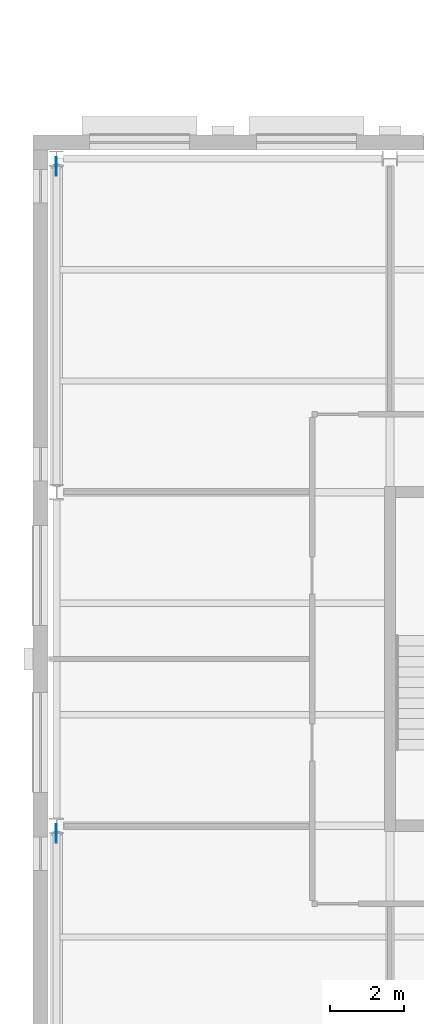
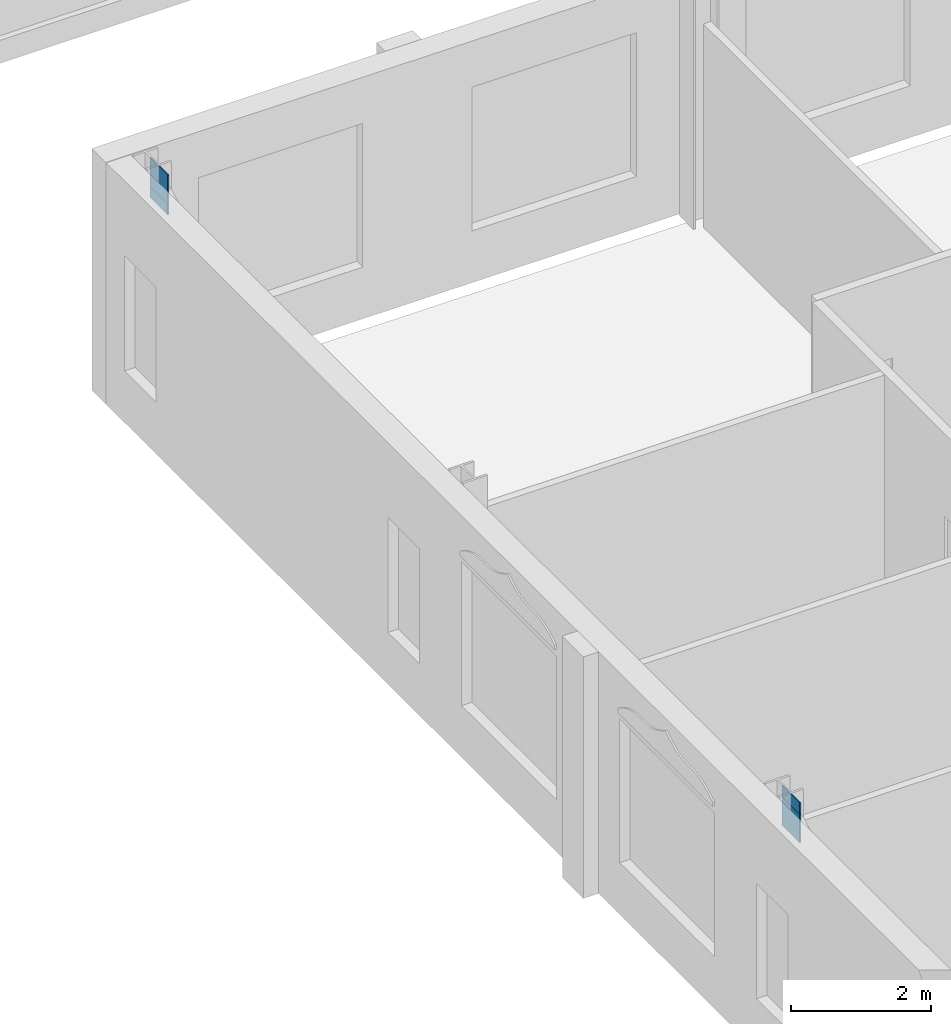
# One storey, part 39 of 62: 4 discrete accessories.
"""IFC4 building model written with IfcOpenShell, lengths in metres."""

from ifc_helpers import new_model, si_unit, direction, frame, origin, origin_2d, place, context, subcontext, project, spatial, rectangle, extrude, material, type_object, element, save


model = new_model("IFC4")

# Units and contexts
model_context = context("Model", 3, precision=1e-05, world=origin(), true_north=direction((0.0, 1.0)))
body_context = subcontext(model_context, "Body", "Model", "MODEL_VIEW")
ifc_project = project(units=[si_unit("LENGTHUNIT", "METRE"), si_unit("AREAUNIT", "SQUARE_METRE"), si_unit("VOLUMEUNIT", "CUBIC_METRE"), si_unit("PLANEANGLEUNIT", "RADIAN"), si_unit("MASSUNIT", "GRAM", prefix="KILO")], contexts=[model_context])

# Site, building, storey
site_placement = place(None, origin())
site = spatial("IfcSite", under=ifc_project, at=site_placement, CompositionType="ELEMENT")
building_placement = place(site_placement, origin())
building = spatial("IfcBuilding", under=site, at=building_placement, Name="Hortulan Conservatory and Botanical Research Centre", CompositionType="ELEMENT")
storey_placement = place(building_placement, frame((0.0, 0.0, 15.0)))
storey = spatial("IfcBuildingStorey", under=building, at=storey_placement, Name="L03", CompositionType="ELEMENT", Elevation=15.0)

# Discrete accessories
ifc_material = material(Name="Steel Grade 300 plate (AS/NZS 3678, 280 MPa minimum yield)", Category="steel")
discrete_accessory_type = type_object("IfcDiscreteAccessoryType", Name="End Plate 500x20", PredefinedType="BRACKET", material=ifc_material)
for number, where, z_axis, x_axis, name in (
    (1, (0.0, 8.7890625, 3.491455078125), (0.0, 0.0, 1.0), (0.0, -1.0, 0.0), "Brace end plate"),
    (2, (0.0, 8.7890625, 3.6884765625), (0.0, 0.0, 1.0), (0.0, -1.0, 0.0), "Brace end plate"),
    (3, (0.0, 26.7890625, 3.491455078125), (0.0, 0.0, 1.0), (0.0, -1.0, 0.0), "Brace end plate"),
    (4, (0.0, 26.7890625, 3.6884765625), (0.0, 0.0, 1.0), (0.0, -1.0, 0.0), "Brace end plate"),
):
    element("IfcDiscreteAccessory", number, at=place(storey_placement, frame(where, z_axis=z_axis, x_axis=x_axis)), inside=storey, type_object=discrete_accessory_type, Name=name, PredefinedType="BRACKET", context=body_context, shape_type="SweptSolid", body=[
        extrude(rectangle(XDim=0.5, YDim=0.02001953125, at=origin_2d()), origin(), (0.0, 0.0, 1.0), 0.5),
    ])

save(model, "model.ifc")
